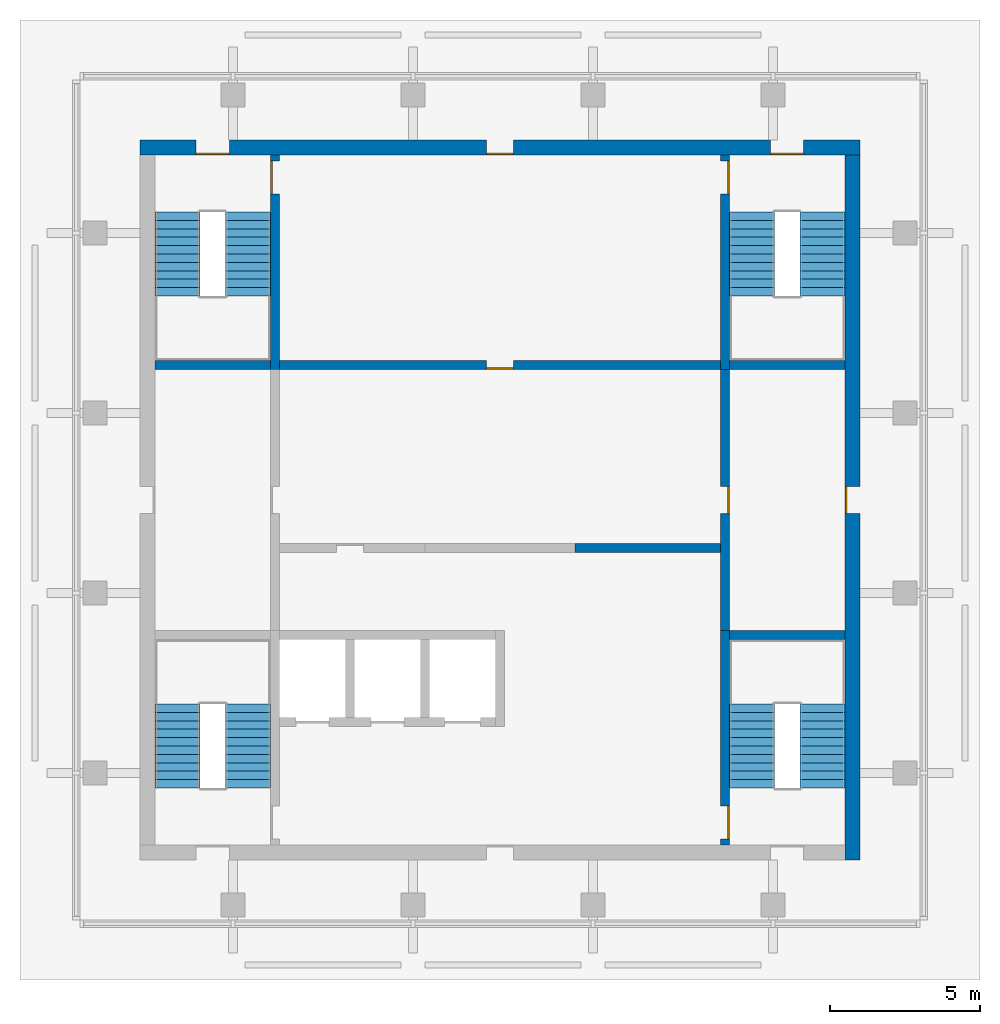
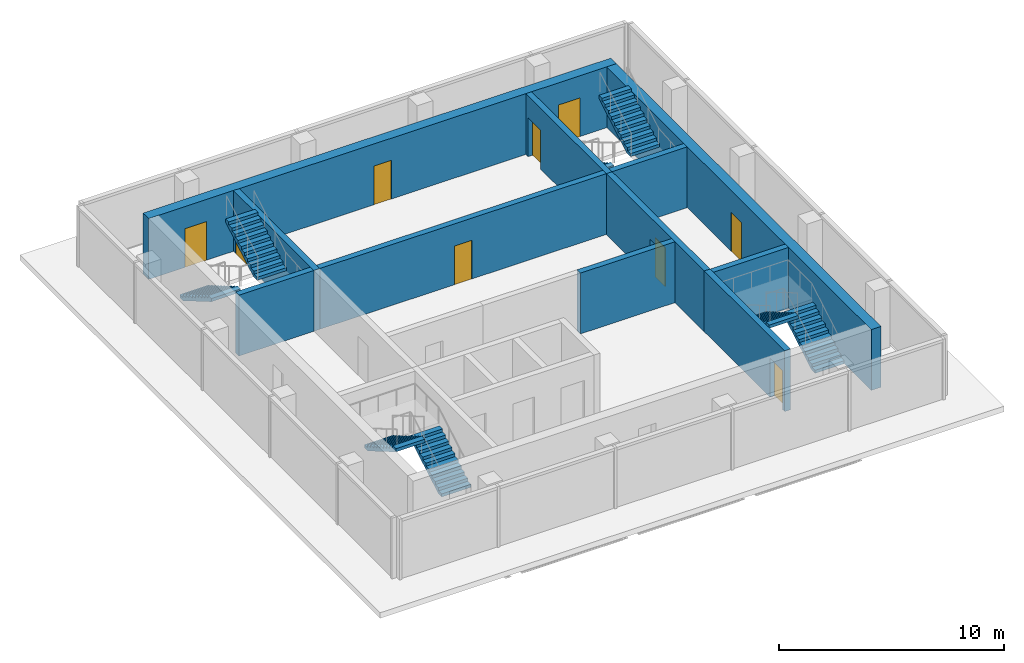
# One storey, part 3 of 4: 11 walls, 9 doors, 8 stair flights, 9 openings, 4 elements without a shape of their own.
"""IFC4 building model written with IfcOpenShell, lengths in metres."""

from ifc_helpers import new_model, si_unit, direction, frame, frame_2d, origin, place, context, subcontext, project, spatial, polyline, rectangle, outline, extrude, material, layer, layer_set, type_object, element, fill, aggregate, save


model = new_model("IFC4")

# Units and contexts
model_context = context("Model", 3, precision=1e-05, world=origin(), true_north=direction((0.0, 1.0)))
body_context = subcontext(model_context, "Body", "Model", "MODEL_VIEW")
ifc_project = project(units=[si_unit("LENGTHUNIT", "METRE"), si_unit("AREAUNIT", "SQUARE_METRE"), si_unit("VOLUMEUNIT", "CUBIC_METRE"), si_unit("PLANEANGLEUNIT", "RADIAN"), si_unit("MASSUNIT", "GRAM", prefix="KILO")], contexts=[model_context])

# Site, building, storey
site_placement = place(None, origin())
site = spatial("IfcSite", under=ifc_project, at=site_placement, CompositionType="ELEMENT")
building_placement = place(site_placement, origin())
building = spatial("IfcBuilding", under=site, at=building_placement, Name="Amberfall Residences", CompositionType="ELEMENT")
storey_placement = place(building_placement, frame((0.0, 0.0, 298.0)))
storey = spatial("IfcBuildingStorey", under=building, at=storey_placement, Name="L80 Crown", CompositionType="ELEMENT", Elevation=298.0)

# Wall, opening, door
ifc_material_1 = material(Name="Concrete blockwork", Category="masonry")
ifc_layer_1 = layer(ifc_material_1, 0.300048828125)
ifc_layer_set_1 = layer_set([ifc_layer_1], Name="Blockwork partition 300")
wall_type_1 = type_object("IfcWallType", Name="Blockwork partition 300", PredefinedType="PARTITIONING", material=ifc_layer_set_1)
wall_1_placement = place(storey_placement, frame((82.0, 41.14990234375, 0.0), z_axis=(0.0, 0.0, 1.0), x_axis=(0.0, 1.0, 0.0)))
wall_1 = element("IfcWall", 1, at=wall_1_placement, inside=storey, type_object=wall_type_1, Name="L80 Crown core wall W2M", PredefinedType="PARTITIONING", context=body_context, shape_type="SweptSolid", body=[
    extrude(rectangle(XDim=8.7001953125, YDim=0.300048828125, at=frame_2d((4.35009765625, 0.0))), origin(), (0.0, 0.0, 1.0), 3.300048828125),
])
opening_1_placement = place(wall_1_placement, frame((3.89990234375, 0.0, 0.0)))
opening_1 = element("IfcOpeningElement", 2, at=opening_1_placement, cuts=wall_1, Name="Opening RD1", PredefinedType="OPENING", context=body_context, shape_type="SweptSolid", body=[
    extrude(rectangle(XDim=0.89990234375, YDim=2.10009765625, at=frame_2d((0.449951171875, 1.050048828125))), frame((0.0, 0.159912109375, 0.0), z_axis=(0.0, -1.0, 0.0), x_axis=(1.0, 0.0, 0.0)), (0.0, 0.0, 1.0), 0.320068359375),
])
ifc_material_2 = material(Name="Steel fire door set", Category="steel")
door_type_1 = type_object("IfcDoorType", Name="Service room door 900 x 2100", OperationType="SINGLE_SWING_LEFT", PredefinedType="DOOR", material=ifc_material_2)
door_1_placement = place(opening_1_placement, origin())
door_1 = element("IfcDoor", 3, at=door_1_placement, inside=storey, type_object=door_type_1, Name="RD1 L80 Crown", OperationType="SINGLE_SWING_RIGHT", OverallHeight=2.10009765625, OverallWidth=0.89990234375, PredefinedType="DOOR", context=body_context, shape_type="SweptSolid", body=[
    extrude(rectangle(XDim=0.89990234375, YDim=2.10009765625, at=frame_2d((0.449951171875, 1.050048828125))), frame((0.0, -0.08740234375, 0.0), z_axis=(0.0, -1.0, 0.0), x_axis=(1.0, 0.0, 0.0)), (0.0, 0.0, 1.0), 0.050048828125),
])
fill(opening_1, door_1)

wall_2_placement = place(storey_placement, frame((67.14990234375, 50.0, 0.0), z_axis=(0.0, 0.0, 1.0), x_axis=(1.0, 0.0, 0.0)))
wall_2 = element("IfcWall", 4, at=wall_2_placement, inside=storey, type_object=wall_type_1, Name="L80 Crown core wall W5", PredefinedType="PARTITIONING", context=body_context, shape_type="SweptSolid", body=[
    extrude(rectangle(XDim=14.7001953125, YDim=0.300048828125, at=frame_2d((7.35009765625, 0.0))), origin(), (0.0, 0.0, 1.0), 3.300048828125),
])
opening_2_placement = place(wall_2_placement, frame((6.89990234375, 0.0, 0.0)))
opening_2 = element("IfcOpeningElement", 5, at=opening_2_placement, cuts=wall_2, Name="Opening RD1", PredefinedType="OPENING", context=body_context, shape_type="SweptSolid", body=[
    extrude(rectangle(XDim=0.89990234375, YDim=2.10009765625, at=frame_2d((0.449951171875, 1.050048828125))), frame((0.0, 0.159912109375, 0.0), z_axis=(0.0, -1.0, 0.0), x_axis=(1.0, 0.0, 0.0)), (0.0, 0.0, 1.0), 0.320068359375),
])
door_2_placement = place(opening_2_placement, origin())
door_2 = element("IfcDoor", 6, at=door_2_placement, inside=storey, type_object=door_type_1, Name="RD1 L80 Crown", OperationType="SINGLE_SWING_RIGHT", OverallHeight=2.10009765625, OverallWidth=0.89990234375, PredefinedType="DOOR", context=body_context, shape_type="SweptSolid", body=[
    extrude(rectangle(XDim=0.89990234375, YDim=2.10009765625, at=frame_2d((0.449951171875, 1.050048828125))), frame((0.0, -0.08740234375, 0.0), z_axis=(0.0, -1.0, 0.0), x_axis=(1.0, 0.0, 0.0)), (0.0, 0.0, 1.0), 0.050048828125),
])
fill(opening_2, door_2)

# Wall
wall_3_placement = place(storey_placement, frame((77.0, 43.89990234375, 0.0), z_axis=(0.0, 0.0, 1.0), x_axis=(1.0, 0.0, 0.0)))
element("IfcWall", 7, at=wall_3_placement, inside=storey, type_object=wall_type_1, Name="L80 Crown core wall W6e", PredefinedType="PARTITIONING", context=body_context, shape_type="SweptSolid", body=[
    extrude(rectangle(XDim=4.85009765625, YDim=0.300048828125, at=frame_2d((2.425048828125, 0.0))), origin(), (0.0, 0.0, 1.0), 3.300048828125),
])

# Wall, openings, doors
ifc_material_3 = material(Name="Concrete C50", Category="concrete")
ifc_layer_2 = layer(ifc_material_3, 0.5)
ifc_layer_set_2 = layer_set([ifc_layer_2], Name="Core wall 500 C50")
wall_type_2 = type_object("IfcWallType", Name="Core wall 500 C50", PredefinedType="SHEAR", material=ifc_layer_set_2)
wall_4_placement = place(storey_placement, frame((62.5, 57.25, 0.0), z_axis=(0.0, 0.0, 1.0), x_axis=(1.0, 0.0, 0.0)))
wall_4 = element("IfcWall", 8, at=wall_4_placement, inside=storey, type_object=wall_type_2, Name="Core wall RW9 L80 Crown ON", PredefinedType="SHEAR", context=body_context, shape_type="SweptSolid", body=[
    extrude(rectangle(XDim=24.0, YDim=0.5, at=frame_2d((12.0, 0.0))), origin(), (0.0, 0.0, 1.0), 3.300048828125),
])
opening_3_placement = place(wall_4_placement, frame((21.02490234375, 0.0, 0.0)))
opening_3 = element("IfcOpeningElement", 9, at=opening_3_placement, cuts=wall_4, Name="Opening SD1", PredefinedType="OPENING", context=body_context, shape_type="SweptSolid", body=[
    extrude(rectangle(XDim=1.10009765625, YDim=2.10009765625, at=frame_2d((0.550048828125, 1.050048828125))), frame((0.0, 0.260009765625, 0.0), z_axis=(0.0, -1.0, 0.0), x_axis=(1.0, 0.0, 0.0)), (0.0, 0.0, 1.0), 0.52001953125),
])
opening_4_placement = place(wall_4_placement, frame((1.875, 0.0, 0.0)))
opening_4 = element("IfcOpeningElement", 10, at=opening_4_placement, cuts=wall_4, Name="Opening SD1", PredefinedType="OPENING", context=body_context, shape_type="SweptSolid", body=[
    extrude(rectangle(XDim=1.10009765625, YDim=2.10009765625, at=frame_2d((0.550048828125, 1.050048828125))), frame((0.0, 0.260009765625, 0.0), z_axis=(0.0, -1.0, 0.0), x_axis=(1.0, 0.0, 0.0)), (0.0, 0.0, 1.0), 0.52001953125),
])
opening_5_placement = place(wall_4_placement, frame((11.550048828125, 0.0, 0.0)))
opening_5 = element("IfcOpeningElement", 11, at=opening_5_placement, cuts=wall_4, Name="Opening RD1", PredefinedType="OPENING", context=body_context, shape_type="SweptSolid", body=[
    extrude(rectangle(XDim=0.89990234375, YDim=2.10009765625, at=frame_2d((0.449951171875, 1.050048828125))), frame((0.0, 0.260009765625, 0.0), z_axis=(0.0, -1.0, 0.0), x_axis=(1.0, 0.0, 0.0)), (0.0, 0.0, 1.0), 0.52001953125),
])
door_3_placement = place(opening_5_placement, origin())
door_3 = element("IfcDoor", 12, at=door_3_placement, inside=storey, type_object=door_type_1, Name="RD1 L80 Crown", OperationType="SINGLE_SWING_RIGHT", OverallHeight=2.10009765625, OverallWidth=0.89990234375, PredefinedType="DOOR", context=body_context, shape_type="SweptSolid", body=[
    extrude(rectangle(XDim=0.89990234375, YDim=2.10009765625, at=frame_2d((0.449951171875, 1.050048828125))), frame((0.0, -0.1875, 0.0), z_axis=(0.0, -1.0, 0.0), x_axis=(1.0, 0.0, 0.0)), (0.0, 0.0, 1.0), 0.050048828125),
])
fill(opening_5, door_3)
door_type_2 = type_object("IfcDoorType", Name="Stair door 1100 x 2100", OperationType="SINGLE_SWING_LEFT", PredefinedType="DOOR", material=ifc_material_2)
door_4_placement = place(opening_3_placement, origin())
door_4 = element("IfcDoor", 13, at=door_4_placement, inside=storey, type_object=door_type_2, Name="SD1 L80 Crown", OperationType="SINGLE_SWING_RIGHT", OverallHeight=2.10009765625, OverallWidth=1.10009765625, PredefinedType="DOOR", context=body_context, shape_type="SweptSolid", body=[
    extrude(rectangle(XDim=1.10009765625, YDim=2.10009765625, at=frame_2d((0.550048828125, 1.050048828125))), frame((0.0, -0.1875, 0.0), z_axis=(0.0, -1.0, 0.0), x_axis=(1.0, 0.0, 0.0)), (0.0, 0.0, 1.0), 0.050048828125),
])
fill(opening_3, door_4)
door_5_placement = place(opening_4_placement, origin())
door_5 = element("IfcDoor", 14, at=door_5_placement, inside=storey, type_object=door_type_2, Name="SD1 L80 Crown", OperationType="SINGLE_SWING_LEFT", OverallHeight=2.10009765625, OverallWidth=1.10009765625, PredefinedType="DOOR", context=body_context, shape_type="SweptSolid", body=[
    extrude(rectangle(XDim=1.10009765625, YDim=2.10009765625, at=frame_2d((0.550048828125, 1.050048828125))), frame((0.0, -0.1875, 0.0), z_axis=(0.0, -1.0, 0.0), x_axis=(1.0, 0.0, 0.0)), (0.0, 0.0, 1.0), 0.050048828125),
])
fill(opening_4, door_5)

# Wall, opening, door
wall_5_placement = place(storey_placement, frame((86.25, 33.5, 0.0), z_axis=(0.0, 0.0, 1.0), x_axis=(0.0, 1.0, 0.0)))
wall_5 = element("IfcWall", 15, at=wall_5_placement, inside=storey, type_object=wall_type_2, Name="Core wall RW9 L80 Crown OE", PredefinedType="SHEAR", context=body_context, shape_type="SweptSolid", body=[
    extrude(rectangle(XDim=24.0, YDim=0.5, at=frame_2d((12.0, 0.0))), origin(), (0.0, 0.0, 1.0), 3.300048828125),
])
opening_6_placement = place(wall_5_placement, frame((11.550048828125, 0.0, 0.0)))
opening_6 = element("IfcOpeningElement", 16, at=opening_6_placement, cuts=wall_5, Name="Opening RD1", PredefinedType="OPENING", context=body_context, shape_type="SweptSolid", body=[
    extrude(rectangle(XDim=0.89990234375, YDim=2.10009765625, at=frame_2d((0.449951171875, 1.050048828125))), frame((0.0, 0.260009765625, 0.0), z_axis=(0.0, -1.0, 0.0), x_axis=(1.0, 0.0, 0.0)), (0.0, 0.0, 1.0), 0.52001953125),
])
door_6_placement = place(opening_6_placement, origin())
door_6 = element("IfcDoor", 17, at=door_6_placement, inside=storey, type_object=door_type_1, Name="RD1 L80 Crown", OperationType="SINGLE_SWING_RIGHT", OverallHeight=2.10009765625, OverallWidth=0.89990234375, PredefinedType="DOOR", context=body_context, shape_type="SweptSolid", body=[
    extrude(rectangle(XDim=0.89990234375, YDim=2.10009765625, at=frame_2d((0.449951171875, 1.050048828125))), frame((0.0, 0.2373046875, 0.0), z_axis=(0.0, -1.0, 0.0), x_axis=(1.0, 0.0, 0.0)), (0.0, 0.0, 1.0), 0.050048828125),
])
fill(opening_6, door_6)

ifc_layer_3 = layer(ifc_material_3, 0.300048828125)
ifc_layer_set_3 = layer_set([ifc_layer_3], Name="Stair well wall 300 C50")
wall_type_3 = type_object("IfcWallType", Name="Stair well wall 300 C50", PredefinedType="SHEAR", material=ifc_layer_set_3)
wall_6_placement = place(storey_placement, frame((67.0, 49.85009765625, 0.0), z_axis=(0.0, 0.0, 1.0), x_axis=(0.0, 1.0, 0.0)))
wall_6 = element("IfcWall", 18, at=wall_6_placement, inside=storey, type_object=wall_type_3, Name="L80 Crown stair well wall W1N", PredefinedType="SHEAR", context=body_context, shape_type="SweptSolid", body=[
    extrude(rectangle(XDim=7.14990234375, YDim=0.300048828125, at=frame_2d((3.574951171875, 0.0))), origin(), (0.0, 0.0, 1.0), 3.300048828125),
])
opening_7_placement = place(wall_6_placement, frame((5.85009765625, 0.0, 0.0)))
opening_7 = element("IfcOpeningElement", 19, at=opening_7_placement, cuts=wall_6, Name="Opening SD1", PredefinedType="OPENING", context=body_context, shape_type="SweptSolid", body=[
    extrude(rectangle(XDim=1.10009765625, YDim=2.10009765625, at=frame_2d((0.550048828125, 1.050048828125))), frame((0.0, 0.159912109375, 0.0), z_axis=(0.0, -1.0, 0.0), x_axis=(1.0, 0.0, 0.0)), (0.0, 0.0, 1.0), 0.320068359375),
])
door_7_placement = place(opening_7_placement, origin())
door_7 = element("IfcDoor", 20, at=door_7_placement, inside=storey, type_object=door_type_2, Name="SD1 L80 Crown", OperationType="SINGLE_SWING_LEFT", OverallHeight=2.10009765625, OverallWidth=1.10009765625, PredefinedType="DOOR", context=body_context, shape_type="SweptSolid", body=[
    extrude(rectangle(XDim=1.10009765625, YDim=2.10009765625, at=frame_2d((0.550048828125, 1.050048828125))), frame((0.0, 0.1376953125, 0.0), z_axis=(0.0, -1.0, 0.0), x_axis=(1.0, 0.0, 0.0)), (0.0, 0.0, 1.0), 0.050048828125),
])
fill(opening_7, door_7)

wall_7_placement = place(storey_placement, frame((82.0, 34.0, 0.0), z_axis=(0.0, 0.0, 1.0), x_axis=(0.0, 1.0, 0.0)))
wall_7 = element("IfcWall", 21, at=wall_7_placement, inside=storey, type_object=wall_type_3, Name="L80 Crown stair well wall W2S", PredefinedType="SHEAR", context=body_context, shape_type="SweptSolid", body=[
    extrude(rectangle(XDim=7.14990234375, YDim=0.300048828125, at=frame_2d((3.574951171875, 0.0))), origin(), (0.0, 0.0, 1.0), 3.300048828125),
])
opening_8_placement = place(wall_7_placement, frame((0.199951171875, 0.0, 0.0)))
opening_8 = element("IfcOpeningElement", 22, at=opening_8_placement, cuts=wall_7, Name="Opening SD1", PredefinedType="OPENING", context=body_context, shape_type="SweptSolid", body=[
    extrude(rectangle(XDim=1.10009765625, YDim=2.10009765625, at=frame_2d((0.550048828125, 1.050048828125))), frame((0.0, 0.159912109375, 0.0), z_axis=(0.0, -1.0, 0.0), x_axis=(1.0, 0.0, 0.0)), (0.0, 0.0, 1.0), 0.320068359375),
])
door_8_placement = place(opening_8_placement, origin())
door_8 = element("IfcDoor", 23, at=door_8_placement, inside=storey, type_object=door_type_2, Name="SD1 L80 Crown", OperationType="SINGLE_SWING_RIGHT", OverallHeight=2.10009765625, OverallWidth=1.10009765625, PredefinedType="DOOR", context=body_context, shape_type="SweptSolid", body=[
    extrude(rectangle(XDim=1.10009765625, YDim=2.10009765625, at=frame_2d((0.550048828125, 1.050048828125))), frame((0.0, -0.08740234375, 0.0), z_axis=(0.0, -1.0, 0.0), x_axis=(1.0, 0.0, 0.0)), (0.0, 0.0, 1.0), 0.050048828125),
])
fill(opening_8, door_8)

wall_8_placement = place(storey_placement, frame((82.0, 49.85009765625, 0.0), z_axis=(0.0, 0.0, 1.0), x_axis=(0.0, 1.0, 0.0)))
wall_8 = element("IfcWall", 24, at=wall_8_placement, inside=storey, type_object=wall_type_3, Name="L80 Crown stair well wall W2N", PredefinedType="SHEAR", context=body_context, shape_type="SweptSolid", body=[
    extrude(rectangle(XDim=7.14990234375, YDim=0.300048828125, at=frame_2d((3.574951171875, 0.0))), origin(), (0.0, 0.0, 1.0), 3.300048828125),
])
opening_9_placement = place(wall_8_placement, frame((5.85009765625, 0.0, 0.0)))
opening_9 = element("IfcOpeningElement", 25, at=opening_9_placement, cuts=wall_8, Name="Opening SD1", PredefinedType="OPENING", context=body_context, shape_type="SweptSolid", body=[
    extrude(rectangle(XDim=1.10009765625, YDim=2.10009765625, at=frame_2d((0.550048828125, 1.050048828125))), frame((0.0, 0.159912109375, 0.0), z_axis=(0.0, -1.0, 0.0), x_axis=(1.0, 0.0, 0.0)), (0.0, 0.0, 1.0), 0.320068359375),
])
door_9_placement = place(opening_9_placement, origin())
door_9 = element("IfcDoor", 26, at=door_9_placement, inside=storey, type_object=door_type_2, Name="SD1 L80 Crown", OperationType="SINGLE_SWING_RIGHT", OverallHeight=2.10009765625, OverallWidth=1.10009765625, PredefinedType="DOOR", context=body_context, shape_type="SweptSolid", body=[
    extrude(rectangle(XDim=1.10009765625, YDim=2.10009765625, at=frame_2d((0.550048828125, 1.050048828125))), frame((0.0, -0.08740234375, 0.0), z_axis=(0.0, -1.0, 0.0), x_axis=(1.0, 0.0, 0.0)), (0.0, 0.0, 1.0), 0.050048828125),
])
fill(opening_9, door_9)

# Walls
for number, where, z_axis, x_axis, name in (
    (27, (82.14990234375, 41.0, 0.0), (0.0, 0.0, 1.0), (1.0, 0.0, 0.0), "L80 Crown stair well wall W3e"),
    (28, (63.0, 50.0, 0.0), (0.0, 0.0, 1.0), (1.0, 0.0, 0.0), "L80 Crown stair well wall W4"),
    (29, (82.14990234375, 50.0, 0.0), (0.0, 0.0, 1.0), (1.0, 0.0, 0.0), "L80 Crown stair well wall W4e"),
):
    element("IfcWall", number, at=place(storey_placement, frame(where, z_axis=z_axis, x_axis=x_axis)), inside=storey, type_object=wall_type_3, Name=name, PredefinedType="SHEAR", context=body_context, shape_type="SweptSolid", body=[
        extrude(rectangle(XDim=3.85009765625, YDim=0.300048828125, at=frame_2d((1.925048828125, 0.0))), origin(), (0.0, 0.0, 1.0), 3.300048828125),
    ])

# Stair, stair flights
ifc_material_4 = material(Name="Concrete C40", Category="concrete")
stair_type = type_object("IfcStairType", Name="Exit stair 22 risers 163.6 mm", PredefinedType="HALF_TURN_STAIR", material=ifc_material_4)
stair_1_placement = place(storey_placement, origin())
stair_1 = element("IfcStair", 30, at=stair_1_placement, inside=storey, type_object=stair_type, Name="L80 Crown Exit stair 1", PredefinedType="HALF_TURN_STAIR")
stair_flight_type = type_object("IfcStairFlightType", Name="Stair flight 11 risers 163.6 mm", PredefinedType="STRAIGHT", material=ifc_material_4)
stair_flight_1_placement = place(storey_placement, frame((66.10009765625, 35.89990234375, 0.0), z_axis=(0.0, 0.0, 1.0), x_axis=(0.0, 1.0, 0.0)))
stair_flight_1 = element("IfcStairFlight", 31, at=stair_flight_1_placement, type_object=stair_flight_type, Name="ST5 flight 1", NumberOfRisers=11, NumberOfTreads=10, PredefinedType="STRAIGHT", RiserHeight=0.163636364, TreadLength=0.28, context=body_context, shape_type="SweptSolid", body=[
    extrude(outline(polyline([(0.0, 0.0), (0.0, 0.16357421875), (0.280029296875, 0.16357421875), (0.280029296875, 0.327392578125), (0.56005859375, 0.327392578125), (0.56005859375, 0.490966796875), (0.840087890625, 0.490966796875), (0.840087890625, 0.654541015625), (1.1201171875, 0.654541015625), (1.1201171875, 0.818115234375), (1.39990234375, 0.818115234375), (1.39990234375, 0.98193359375), (1.679931640625, 0.98193359375), (1.679931640625, 1.1455078125), (1.9599609375, 1.1455078125), (1.9599609375, 1.30908203125), (2.239990234375, 1.30908203125), (2.239990234375, 1.47265625), (2.52001953125, 1.47265625), (2.52001953125, 1.636474609375), (2.800048828125, 1.636474609375), (2.800048828125, 1.800048828125), (2.800048828125, 1.462646484375), (0.297119140625, 0.0), (0.0, 0.0)])), frame((0.0, 0.75, 0.0), z_axis=(0.0, -1.0, 0.0), x_axis=(1.0, 0.0, 0.0)), (0.0, 0.0, 1.0), 1.5),
])
stair_flight_2_placement = place(storey_placement, frame((63.75, 38.699951171875, 1.800048828125), z_axis=(0.0, 0.0, 1.0), x_axis=(0.0, -1.0, 0.0)))
stair_flight_2 = element("IfcStairFlight", 32, at=stair_flight_2_placement, type_object=stair_flight_type, Name="ST5 flight 2", NumberOfRisers=11, NumberOfTreads=10, PredefinedType="STRAIGHT", RiserHeight=0.163636364, TreadLength=0.28, context=body_context, shape_type="SweptSolid", body=[
    extrude(outline(polyline([(0.0, 0.0), (0.0, 0.16357421875), (0.280029296875, 0.16357421875), (0.280029296875, 0.327392578125), (0.56005859375, 0.327392578125), (0.56005859375, 0.490966796875), (0.840087890625, 0.490966796875), (0.840087890625, 0.654541015625), (1.1201171875, 0.654541015625), (1.1201171875, 0.818115234375), (1.39990234375, 0.818115234375), (1.39990234375, 0.98193359375), (1.679931640625, 0.98193359375), (1.679931640625, 1.1455078125), (1.9599609375, 1.1455078125), (1.9599609375, 1.30908203125), (2.239990234375, 1.30908203125), (2.239990234375, 1.47265625), (2.52001953125, 1.47265625), (2.52001953125, 1.636474609375), (2.800048828125, 1.636474609375), (2.800048828125, 1.800048828125), (2.800048828125, 1.462646484375), (0.297119140625, 0.0), (0.0, 0.0)])), frame((0.0, 0.75, 0.0), z_axis=(0.0, -1.0, 0.0), x_axis=(1.0, 0.0, 0.0)), (0.0, 0.0, 1.0), 1.5),
])
aggregate(stair_1, [stair_flight_1, stair_flight_2])

stair_2_placement = place(storey_placement, origin())
stair_2 = element("IfcStair", 33, at=stair_2_placement, inside=storey, type_object=stair_type, Name="L80 Crown Exit stair 2", PredefinedType="HALF_TURN_STAIR")
stair_flight_3_placement = place(storey_placement, frame((85.25, 35.89990234375, 0.0), z_axis=(0.0, 0.0, 1.0), x_axis=(0.0, 1.0, 0.0)))
stair_flight_3 = element("IfcStairFlight", 34, at=stair_flight_3_placement, type_object=stair_flight_type, Name="ST5 flight 1", NumberOfRisers=11, NumberOfTreads=10, PredefinedType="STRAIGHT", RiserHeight=0.163636364, TreadLength=0.28, context=body_context, shape_type="SweptSolid", body=[
    extrude(outline(polyline([(0.0, 0.0), (0.0, 0.16357421875), (0.280029296875, 0.16357421875), (0.280029296875, 0.327392578125), (0.56005859375, 0.327392578125), (0.56005859375, 0.490966796875), (0.840087890625, 0.490966796875), (0.840087890625, 0.654541015625), (1.1201171875, 0.654541015625), (1.1201171875, 0.818115234375), (1.39990234375, 0.818115234375), (1.39990234375, 0.98193359375), (1.679931640625, 0.98193359375), (1.679931640625, 1.1455078125), (1.9599609375, 1.1455078125), (1.9599609375, 1.30908203125), (2.239990234375, 1.30908203125), (2.239990234375, 1.47265625), (2.52001953125, 1.47265625), (2.52001953125, 1.636474609375), (2.800048828125, 1.636474609375), (2.800048828125, 1.800048828125), (2.800048828125, 1.462646484375), (0.297119140625, 0.0), (0.0, 0.0)])), frame((0.0, 0.75, 0.0), z_axis=(0.0, -1.0, 0.0), x_axis=(1.0, 0.0, 0.0)), (0.0, 0.0, 1.0), 1.5),
])
stair_flight_4_placement = place(storey_placement, frame((82.89990234375, 38.699951171875, 1.800048828125), z_axis=(0.0, 0.0, 1.0), x_axis=(0.0, -1.0, 0.0)))
stair_flight_4 = element("IfcStairFlight", 35, at=stair_flight_4_placement, type_object=stair_flight_type, Name="ST5 flight 2", NumberOfRisers=11, NumberOfTreads=10, PredefinedType="STRAIGHT", RiserHeight=0.163636364, TreadLength=0.28, context=body_context, shape_type="SweptSolid", body=[
    extrude(outline(polyline([(0.0, 0.0), (0.0, 0.16357421875), (0.280029296875, 0.16357421875), (0.280029296875, 0.327392578125), (0.56005859375, 0.327392578125), (0.56005859375, 0.490966796875), (0.840087890625, 0.490966796875), (0.840087890625, 0.654541015625), (1.1201171875, 0.654541015625), (1.1201171875, 0.818115234375), (1.39990234375, 0.818115234375), (1.39990234375, 0.98193359375), (1.679931640625, 0.98193359375), (1.679931640625, 1.1455078125), (1.9599609375, 1.1455078125), (1.9599609375, 1.30908203125), (2.239990234375, 1.30908203125), (2.239990234375, 1.47265625), (2.52001953125, 1.47265625), (2.52001953125, 1.636474609375), (2.800048828125, 1.636474609375), (2.800048828125, 1.800048828125), (2.800048828125, 1.462646484375), (0.297119140625, 0.0), (0.0, 0.0)])), frame((0.0, 0.75, 0.0), z_axis=(0.0, -1.0, 0.0), x_axis=(1.0, 0.0, 0.0)), (0.0, 0.0, 1.0), 1.5),
])
aggregate(stair_2, [stair_flight_3, stair_flight_4])

stair_3_placement = place(storey_placement, origin())
stair_3 = element("IfcStair", 36, at=stair_3_placement, inside=storey, type_object=stair_type, Name="L80 Crown Exit stair 3", PredefinedType="HALF_TURN_STAIR")
stair_flight_5_placement = place(storey_placement, frame((82.89990234375, 55.10009765625, 0.0), z_axis=(0.0, 0.0, 1.0), x_axis=(0.0, -1.0, 0.0)))
stair_flight_5 = element("IfcStairFlight", 37, at=stair_flight_5_placement, type_object=stair_flight_type, Name="ST5 flight 1", NumberOfRisers=11, NumberOfTreads=10, PredefinedType="STRAIGHT", RiserHeight=0.163636364, TreadLength=0.28, context=body_context, shape_type="SweptSolid", body=[
    extrude(outline(polyline([(0.0, 0.0), (0.0, 0.16357421875), (0.280029296875, 0.16357421875), (0.280029296875, 0.327392578125), (0.56005859375, 0.327392578125), (0.56005859375, 0.490966796875), (0.840087890625, 0.490966796875), (0.840087890625, 0.654541015625), (1.1201171875, 0.654541015625), (1.1201171875, 0.818115234375), (1.39990234375, 0.818115234375), (1.39990234375, 0.98193359375), (1.679931640625, 0.98193359375), (1.679931640625, 1.1455078125), (1.9599609375, 1.1455078125), (1.9599609375, 1.30908203125), (2.239990234375, 1.30908203125), (2.239990234375, 1.47265625), (2.52001953125, 1.47265625), (2.52001953125, 1.636474609375), (2.800048828125, 1.636474609375), (2.800048828125, 1.800048828125), (2.800048828125, 1.462646484375), (0.297119140625, 0.0), (0.0, 0.0)])), frame((0.0, 0.75, 0.0), z_axis=(0.0, -1.0, 0.0), x_axis=(1.0, 0.0, 0.0)), (0.0, 0.0, 1.0), 1.5),
])
stair_flight_6_placement = place(storey_placement, frame((85.25, 52.300048828125, 1.800048828125), z_axis=(0.0, 0.0, 1.0), x_axis=(0.0, 1.0, 0.0)))
stair_flight_6 = element("IfcStairFlight", 38, at=stair_flight_6_placement, type_object=stair_flight_type, Name="ST5 flight 2", NumberOfRisers=11, NumberOfTreads=10, PredefinedType="STRAIGHT", RiserHeight=0.163636364, TreadLength=0.28, context=body_context, shape_type="SweptSolid", body=[
    extrude(outline(polyline([(0.0, 0.0), (0.0, 0.16357421875), (0.280029296875, 0.16357421875), (0.280029296875, 0.327392578125), (0.56005859375, 0.327392578125), (0.56005859375, 0.490966796875), (0.840087890625, 0.490966796875), (0.840087890625, 0.654541015625), (1.1201171875, 0.654541015625), (1.1201171875, 0.818115234375), (1.39990234375, 0.818115234375), (1.39990234375, 0.98193359375), (1.679931640625, 0.98193359375), (1.679931640625, 1.1455078125), (1.9599609375, 1.1455078125), (1.9599609375, 1.30908203125), (2.239990234375, 1.30908203125), (2.239990234375, 1.47265625), (2.52001953125, 1.47265625), (2.52001953125, 1.636474609375), (2.800048828125, 1.636474609375), (2.800048828125, 1.800048828125), (2.800048828125, 1.462646484375), (0.297119140625, 0.0), (0.0, 0.0)])), frame((0.0, 0.75, 0.0), z_axis=(0.0, -1.0, 0.0), x_axis=(1.0, 0.0, 0.0)), (0.0, 0.0, 1.0), 1.5),
])
aggregate(stair_3, [stair_flight_5, stair_flight_6])

stair_4_placement = place(storey_placement, origin())
stair_4 = element("IfcStair", 39, at=stair_4_placement, inside=storey, type_object=stair_type, Name="L80 Crown Exit stair 4", PredefinedType="HALF_TURN_STAIR")
stair_flight_7_placement = place(storey_placement, frame((63.75, 55.10009765625, 0.0), z_axis=(0.0, 0.0, 1.0), x_axis=(0.0, -1.0, 0.0)))
stair_flight_7 = element("IfcStairFlight", 40, at=stair_flight_7_placement, type_object=stair_flight_type, Name="ST5 flight 1", NumberOfRisers=11, NumberOfTreads=10, PredefinedType="STRAIGHT", RiserHeight=0.163636364, TreadLength=0.28, context=body_context, shape_type="SweptSolid", body=[
    extrude(outline(polyline([(0.0, 0.0), (0.0, 0.16357421875), (0.280029296875, 0.16357421875), (0.280029296875, 0.327392578125), (0.56005859375, 0.327392578125), (0.56005859375, 0.490966796875), (0.840087890625, 0.490966796875), (0.840087890625, 0.654541015625), (1.1201171875, 0.654541015625), (1.1201171875, 0.818115234375), (1.39990234375, 0.818115234375), (1.39990234375, 0.98193359375), (1.679931640625, 0.98193359375), (1.679931640625, 1.1455078125), (1.9599609375, 1.1455078125), (1.9599609375, 1.30908203125), (2.239990234375, 1.30908203125), (2.239990234375, 1.47265625), (2.52001953125, 1.47265625), (2.52001953125, 1.636474609375), (2.800048828125, 1.636474609375), (2.800048828125, 1.800048828125), (2.800048828125, 1.462646484375), (0.297119140625, 0.0), (0.0, 0.0)])), frame((0.0, 0.75, 0.0), z_axis=(0.0, -1.0, 0.0), x_axis=(1.0, 0.0, 0.0)), (0.0, 0.0, 1.0), 1.5),
])
stair_flight_8_placement = place(storey_placement, frame((66.10009765625, 52.300048828125, 1.800048828125), z_axis=(0.0, 0.0, 1.0), x_axis=(0.0, 1.0, 0.0)))
stair_flight_8 = element("IfcStairFlight", 41, at=stair_flight_8_placement, type_object=stair_flight_type, Name="ST5 flight 2", NumberOfRisers=11, NumberOfTreads=10, PredefinedType="STRAIGHT", RiserHeight=0.163636364, TreadLength=0.28, context=body_context, shape_type="SweptSolid", body=[
    extrude(outline(polyline([(0.0, 0.0), (0.0, 0.16357421875), (0.280029296875, 0.16357421875), (0.280029296875, 0.327392578125), (0.56005859375, 0.327392578125), (0.56005859375, 0.490966796875), (0.840087890625, 0.490966796875), (0.840087890625, 0.654541015625), (1.1201171875, 0.654541015625), (1.1201171875, 0.818115234375), (1.39990234375, 0.818115234375), (1.39990234375, 0.98193359375), (1.679931640625, 0.98193359375), (1.679931640625, 1.1455078125), (1.9599609375, 1.1455078125), (1.9599609375, 1.30908203125), (2.239990234375, 1.30908203125), (2.239990234375, 1.47265625), (2.52001953125, 1.47265625), (2.52001953125, 1.636474609375), (2.800048828125, 1.636474609375), (2.800048828125, 1.800048828125), (2.800048828125, 1.462646484375), (0.297119140625, 0.0), (0.0, 0.0)])), frame((0.0, 0.75, 0.0), z_axis=(0.0, -1.0, 0.0), x_axis=(1.0, 0.0, 0.0)), (0.0, 0.0, 1.0), 1.5),
])
aggregate(stair_4, [stair_flight_7, stair_flight_8])

save(model, "model.ifc")
